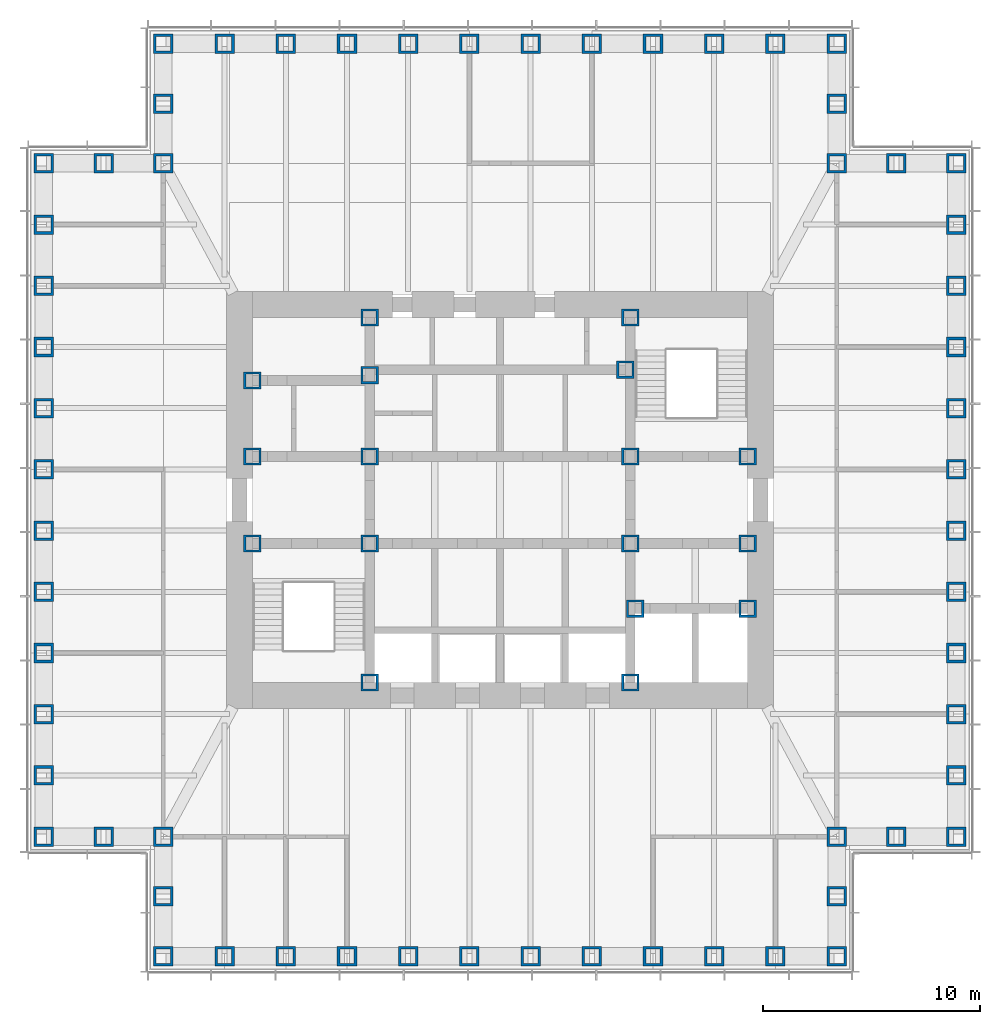
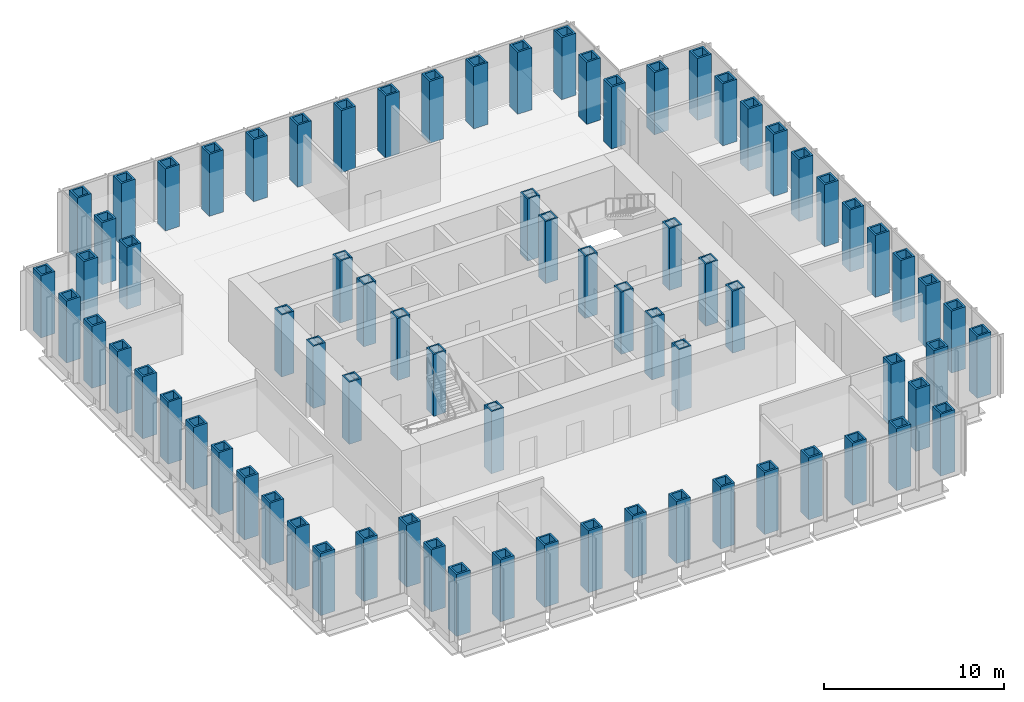
# One storey, part 1 of 16: 77 columns.
"""IFC4 building model written with IfcOpenShell, lengths in metres."""

from ifc_helpers import new_model, si_unit, direction, frame, origin, origin_2d, place, context, subcontext, project, spatial, hollow_rectangle, extrude, material, material_profile, profile_set, type_object, element, save


model = new_model("IFC4")

# Units and contexts
model_context = context("Model", 3, precision=1e-05, world=origin(), true_north=direction((0.0, 1.0)))
body_context = subcontext(model_context, "Body", "Model", "MODEL_VIEW")
ifc_project = project(units=[si_unit("LENGTHUNIT", "METRE"), si_unit("AREAUNIT", "SQUARE_METRE"), si_unit("VOLUMEUNIT", "CUBIC_METRE"), si_unit("PLANEANGLEUNIT", "RADIAN"), si_unit("MASSUNIT", "GRAM", prefix="KILO")], contexts=[model_context])

# Site, building, storey
site_placement = place(None, origin())
site = spatial("IfcSite", under=ifc_project, at=site_placement, CompositionType="ELEMENT")
building_placement = place(site_placement, origin())
building = spatial("IfcBuilding", under=site, at=building_placement, Name="Daluyong Arena Tower", CompositionType="ELEMENT")
storey_placement = place(building_placement, frame((0.0, 0.0, 198.10009765625)))
storey = spatial("IfcBuildingStorey", under=building, at=storey_placement, Name="L44", CompositionType="ELEMENT", Elevation=198.10009765625)

# Columns
ifc_material_1 = material(Name="Steel ASTM A572 Grade 50", Category="steel")
ifc_material_profile_1 = material_profile(ifc_material_1, hollow_rectangle(XDim=0.800048828125, YDim=0.800048828125, WallThickness=0.1, at=origin_2d()))
ifc_profile_set_1 = profile_set([ifc_material_profile_1], Name="Steel ASTM A572 Grade 50")
column_type_1 = type_object("IfcColumnType", Name="Core boundary column BX800X100", PredefinedType="COLUMN", material=ifc_profile_set_1)
for number, where, z_axis, x_axis, name in (
    (1, (44.60009765625, 78.0, 0.0), (0.0, 0.0, 1.0), (1.0, 0.0, 0.0), "core boundary column BC2"),
    (2, (44.60009765625, 82.0, 0.0), (0.0, 0.0, 1.0), (1.0, 0.0, 0.0), "core boundary column BC2"),
    (3, (44.60009765625, 85.5, 0.0), (0.0, 0.0, 1.0), (1.0, 0.0, 0.0), "core boundary column BC2"),
    (4, (50.0, 71.60009765625, 0.0), (0.0, 0.0, 1.0), (1.0, 0.0, 0.0), "core boundary column BC2"),
    (5, (50.0, 78.0, 0.0), (0.0, 0.0, 1.0), (1.0, 0.0, 0.0), "core boundary column BC2"),
    (6, (50.0, 82.0, 0.0), (0.0, 0.0, 1.0), (1.0, 0.0, 0.0), "core boundary column BC2"),
    (7, (50.0, 85.75, 0.0), (0.0, 0.0, 1.0), (1.0, 0.0, 0.0), "core boundary column BC2"),
    (8, (50.0, 88.39990234375, 0.0), (0.0, 0.0, 1.0), (1.0, 0.0, 0.0), "core boundary column BC2"),
    (9, (61.77490234375, 86.0, 0.0), (0.0, 0.0, 1.0), (1.0, 0.0, 0.0), "core boundary column BC2"),
    (10, (62.0, 71.60009765625, 0.0), (0.0, 0.0, 1.0), (1.0, 0.0, 0.0), "core boundary column BC2"),
    (11, (62.0, 78.0, 0.0), (0.0, 0.0, 1.0), (1.0, 0.0, 0.0), "core boundary column BC2"),
    (12, (62.0, 82.0, 0.0), (0.0, 0.0, 1.0), (1.0, 0.0, 0.0), "core boundary column BC2"),
    (13, (62.0, 88.39990234375, 0.0), (0.0, 0.0, 1.0), (1.0, 0.0, 0.0), "core boundary column BC2"),
    (14, (62.22509765625, 75.0, 0.0), (0.0, 0.0, 1.0), (1.0, 0.0, 0.0), "core boundary column BC2"),
    (15, (67.39990234375, 75.0, 0.0), (0.0, 0.0, 1.0), (1.0, 0.0, 0.0), "core boundary column BC2"),
    (16, (67.39990234375, 78.0, 0.0), (0.0, 0.0, 1.0), (1.0, 0.0, 0.0), "core boundary column BC2"),
    (17, (67.39990234375, 82.0, 0.0), (0.0, 0.0, 1.0), (1.0, 0.0, 0.0), "core boundary column BC2"),
):
    element("IfcColumn", number, at=place(storey_placement, frame(where, z_axis=z_axis, x_axis=x_axis)), inside=storey, type_object=column_type_1, Name=name, PredefinedType="COLUMN", context=body_context, shape_type="SweptSolid", body=[
        extrude(hollow_rectangle(XDim=0.800048828125, YDim=0.800048828125, WallThickness=0.1, at=origin_2d()), origin(), (0.0, 0.0, 1.0), 4.199951171875),
    ])
ifc_material_2 = material(Name="Steel ASTM A588 Grade 50", Category="steel")
ifc_material_profile_2 = material_profile(ifc_material_2, hollow_rectangle(XDim=0.89990234375, YDim=0.89990234375, WallThickness=0.12, at=origin_2d()))
ifc_profile_set_2 = profile_set([ifc_material_profile_2], Name="Steel ASTM A588 Grade 50")
column_type_2 = type_object("IfcColumnType", Name="Tube column BX900X120 BX900X120", PredefinedType="COLUMN", material=ifc_profile_set_2)
for number, where, z_axis, x_axis, name in (
    (18, (40.5, 59.0, 0.0), (0.0, 0.0, 1.0), (1.0, 0.0, 0.0), "tube column bx900x120 TC4"),
    (19, (43.318115234375, 59.0, 0.0), (0.0, 0.0, 1.0), (1.0, 0.0, 0.0), "tube column bx900x120 TC4"),
    (20, (46.136474609375, 59.0, 0.0), (0.0, 0.0, 1.0), (1.0, 0.0, 0.0), "tube column bx900x120 TC4"),
    (21, (48.95458984375, 59.0, 0.0), (0.0, 0.0, 1.0), (1.0, 0.0, 0.0), "tube column bx900x120 TC4"),
    (22, (51.772705078125, 59.0, 0.0), (0.0, 0.0, 1.0), (1.0, 0.0, 0.0), "tube column bx900x120 TC4"),
    (23, (54.5908203125, 59.0, 0.0), (0.0, 0.0, 1.0), (1.0, 0.0, 0.0), "tube column bx900x120 TC4"),
    (24, (57.4091796875, 59.0, 0.0), (0.0, 0.0, 1.0), (1.0, 0.0, 0.0), "tube column bx900x120 TC4"),
    (25, (60.227294921875, 59.0, 0.0), (0.0, 0.0, 1.0), (1.0, 0.0, 0.0), "tube column bx900x120 TC4"),
    (26, (63.04541015625, 59.0, 0.0), (0.0, 0.0, 1.0), (1.0, 0.0, 0.0), "tube column bx900x120 TC4"),
    (27, (65.863525390625, 59.0, 0.0), (0.0, 0.0, 1.0), (1.0, 0.0, 0.0), "tube column bx900x120 TC4"),
    (28, (68.681884765625, 59.0, 0.0), (0.0, 0.0, 1.0), (1.0, 0.0, 0.0), "tube column bx900x120 TC4"),
    (29, (71.5, 59.0, 0.0), (0.0, 0.0, 1.0), (0.0, 1.0, 0.0), "tube column bx900x120 TC4"),
    (30, (71.5, 61.75, 0.0), (0.0, 0.0, 1.0), (0.0, 1.0, 0.0), "tube column bx900x120 TC4"),
    (31, (71.5, 64.5, 0.0), (0.0, 0.0, 1.0), (1.0, 0.0, 0.0), "tube column bx900x120 TC4"),
    (32, (74.25, 64.5, 0.0), (0.0, 0.0, 1.0), (1.0, 0.0, 0.0), "tube column bx900x120 TC4"),
    (33, (77.0, 64.5, 0.0), (0.0, 0.0, 1.0), (0.0, 1.0, 0.0), "tube column bx900x120 TC4"),
    (34, (77.0, 67.318115234375, 0.0), (0.0, 0.0, 1.0), (0.0, 1.0, 0.0), "tube column bx900x120 TC4"),
    (35, (77.0, 70.136474609375, 0.0), (0.0, 0.0, 1.0), (0.0, 1.0, 0.0), "tube column bx900x120 TC4"),
    (36, (77.0, 72.95458984375, 0.0), (0.0, 0.0, 1.0), (0.0, 1.0, 0.0), "tube column bx900x120 TC4"),
    (37, (77.0, 75.772705078125, 0.0), (0.0, 0.0, 1.0), (0.0, 1.0, 0.0), "tube column bx900x120 TC4"),
    (38, (77.0, 78.5908203125, 0.0), (0.0, 0.0, 1.0), (0.0, 1.0, 0.0), "tube column bx900x120 TC4"),
    (39, (77.0, 81.4091796875, 0.0), (0.0, 0.0, 1.0), (0.0, 1.0, 0.0), "tube column bx900x120 TC4"),
    (40, (77.0, 84.227294921875, 0.0), (0.0, 0.0, 1.0), (0.0, 1.0, 0.0), "tube column bx900x120 TC4"),
    (41, (77.0, 87.04541015625, 0.0), (0.0, 0.0, 1.0), (0.0, 1.0, 0.0), "tube column bx900x120 TC4"),
    (42, (77.0, 89.863525390625, 0.0), (0.0, 0.0, 1.0), (0.0, 1.0, 0.0), "tube column bx900x120 TC4"),
    (43, (77.0, 92.681884765625, 0.0), (0.0, 0.0, 1.0), (0.0, 1.0, 0.0), "tube column bx900x120 TC4"),
    (44, (77.0, 95.5, 0.0), (0.0, 0.0, 1.0), (1.0, 0.0, 0.0), "tube column bx900x120 TC4"),
    (45, (74.25, 95.5, 0.0), (0.0, 0.0, 1.0), (1.0, 0.0, 0.0), "tube column bx900x120 TC4"),
    (46, (71.5, 95.5, 0.0), (0.0, 0.0, 1.0), (0.0, 1.0, 0.0), "tube column bx900x120 TC4"),
    (47, (71.5, 98.25, 0.0), (0.0, 0.0, 1.0), (0.0, 1.0, 0.0), "tube column bx900x120 TC4"),
    (48, (71.5, 101.0, 0.0), (0.0, 0.0, 1.0), (1.0, 0.0, 0.0), "tube column bx900x120 TC4"),
    (49, (68.681884765625, 101.0, 0.0), (0.0, 0.0, 1.0), (1.0, 0.0, 0.0), "tube column bx900x120 TC4"),
    (50, (65.863525390625, 101.0, 0.0), (0.0, 0.0, 1.0), (1.0, 0.0, 0.0), "tube column bx900x120 TC4"),
    (51, (63.04541015625, 101.0, 0.0), (0.0, 0.0, 1.0), (1.0, 0.0, 0.0), "tube column bx900x120 TC4"),
    (52, (60.227294921875, 101.0, 0.0), (0.0, 0.0, 1.0), (1.0, 0.0, 0.0), "tube column bx900x120 TC4"),
    (53, (57.4091796875, 101.0, 0.0), (0.0, 0.0, 1.0), (1.0, 0.0, 0.0), "tube column bx900x120 TC4"),
    (54, (54.5908203125, 101.0, 0.0), (0.0, 0.0, 1.0), (1.0, 0.0, 0.0), "tube column bx900x120 TC4"),
    (55, (51.772705078125, 101.0, 0.0), (0.0, 0.0, 1.0), (1.0, 0.0, 0.0), "tube column bx900x120 TC4"),
    (56, (48.95458984375, 101.0, 0.0), (0.0, 0.0, 1.0), (1.0, 0.0, 0.0), "tube column bx900x120 TC4"),
    (57, (46.136474609375, 101.0, 0.0), (0.0, 0.0, 1.0), (1.0, 0.0, 0.0), "tube column bx900x120 TC4"),
    (58, (43.318115234375, 101.0, 0.0), (0.0, 0.0, 1.0), (1.0, 0.0, 0.0), "tube column bx900x120 TC4"),
    (59, (40.5, 101.0, 0.0), (0.0, 0.0, 1.0), (0.0, 1.0, 0.0), "tube column bx900x120 TC4"),
    (60, (40.5, 98.25, 0.0), (0.0, 0.0, 1.0), (0.0, 1.0, 0.0), "tube column bx900x120 TC4"),
    (61, (40.5, 95.5, 0.0), (0.0, 0.0, 1.0), (1.0, 0.0, 0.0), "tube column bx900x120 TC4"),
    (62, (37.75, 95.5, 0.0), (0.0, 0.0, 1.0), (1.0, 0.0, 0.0), "tube column bx900x120 TC4"),
    (63, (35.0, 95.5, 0.0), (0.0, 0.0, 1.0), (0.0, 1.0, 0.0), "tube column bx900x120 TC4"),
    (64, (35.0, 92.681884765625, 0.0), (0.0, 0.0, 1.0), (0.0, 1.0, 0.0), "tube column bx900x120 TC4"),
    (65, (35.0, 89.863525390625, 0.0), (0.0, 0.0, 1.0), (0.0, 1.0, 0.0), "tube column bx900x120 TC4"),
    (66, (35.0, 87.04541015625, 0.0), (0.0, 0.0, 1.0), (0.0, 1.0, 0.0), "tube column bx900x120 TC4"),
    (67, (35.0, 84.227294921875, 0.0), (0.0, 0.0, 1.0), (0.0, 1.0, 0.0), "tube column bx900x120 TC4"),
    (68, (35.0, 81.4091796875, 0.0), (0.0, 0.0, 1.0), (0.0, 1.0, 0.0), "tube column bx900x120 TC4"),
    (69, (35.0, 78.5908203125, 0.0), (0.0, 0.0, 1.0), (0.0, 1.0, 0.0), "tube column bx900x120 TC4"),
    (70, (35.0, 75.772705078125, 0.0), (0.0, 0.0, 1.0), (0.0, 1.0, 0.0), "tube column bx900x120 TC4"),
    (71, (35.0, 72.95458984375, 0.0), (0.0, 0.0, 1.0), (0.0, 1.0, 0.0), "tube column bx900x120 TC4"),
    (72, (35.0, 70.136474609375, 0.0), (0.0, 0.0, 1.0), (0.0, 1.0, 0.0), "tube column bx900x120 TC4"),
    (73, (35.0, 67.318115234375, 0.0), (0.0, 0.0, 1.0), (0.0, 1.0, 0.0), "tube column bx900x120 TC4"),
    (74, (35.0, 64.5, 0.0), (0.0, 0.0, 1.0), (1.0, 0.0, 0.0), "tube column bx900x120 TC4"),
    (75, (37.75, 64.5, 0.0), (0.0, 0.0, 1.0), (1.0, 0.0, 0.0), "tube column bx900x120 TC4"),
    (76, (40.5, 64.5, 0.0), (0.0, 0.0, 1.0), (0.0, 1.0, 0.0), "tube column bx900x120 TC4"),
    (77, (40.5, 61.75, 0.0), (0.0, 0.0, 1.0), (0.0, 1.0, 0.0), "tube column bx900x120 TC4"),
):
    element("IfcColumn", number, at=place(storey_placement, frame(where, z_axis=z_axis, x_axis=x_axis)), inside=storey, type_object=column_type_2, Name=name, PredefinedType="COLUMN", context=body_context, shape_type="SweptSolid", body=[
        extrude(hollow_rectangle(XDim=0.89990234375, YDim=0.89990234375, WallThickness=0.12, at=origin_2d()), origin(), (0.0, 0.0, 1.0), 4.199951171875),
    ])

save(model, "model.ifc")
